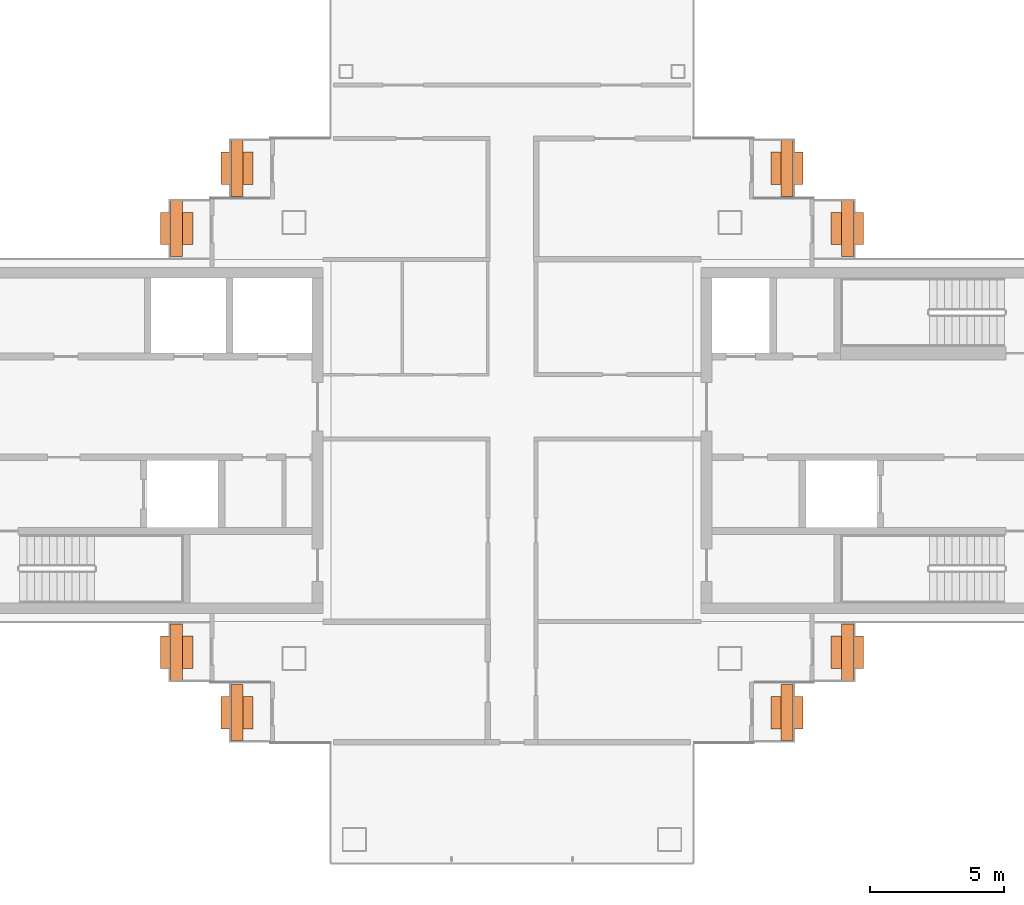
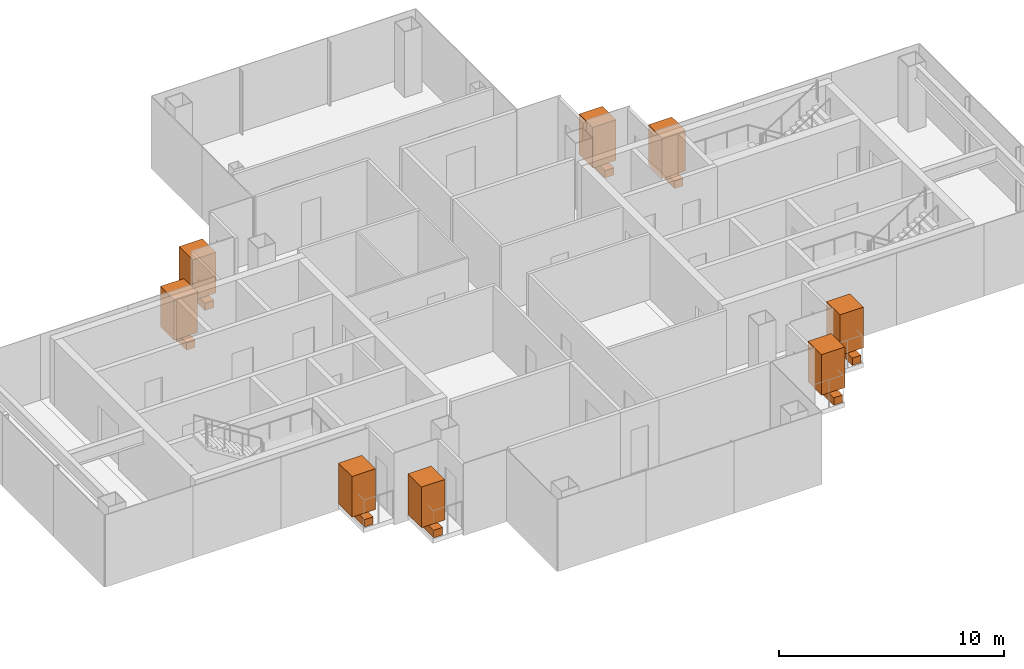
# One storey, part 17 of 17: 8 geographic elements, 8 proxies.
"""IFC4 building model written with IfcOpenShell, lengths in metres."""

from ifc_helpers import new_model, si_unit, direction, frame, origin, origin_2d, place, context, subcontext, project, spatial, rectangle, extrude, material, type_object, element, save


model = new_model("IFC4")

# Units and contexts
model_context = context("Model", 3, precision=1e-05, world=origin(), true_north=direction((0.0, 1.0)))
body_context = subcontext(model_context, "Body", "Model", "MODEL_VIEW")
ifc_project = project(units=[si_unit("LENGTHUNIT", "METRE"), si_unit("AREAUNIT", "SQUARE_METRE"), si_unit("VOLUMEUNIT", "CUBIC_METRE"), si_unit("PLANEANGLEUNIT", "RADIAN"), si_unit("MASSUNIT", "GRAM", prefix="KILO")], contexts=[model_context])

# Site, building, storey
site_placement = place(None, origin())
site = spatial("IfcSite", under=ifc_project, at=site_placement, CompositionType="ELEMENT")
building_placement = place(site_placement, origin())
building = spatial("IfcBuilding", under=site, at=building_placement, Name="Shamsa Quay Exchange Towers", CompositionType="ELEMENT")
storey_placement = place(building_placement, frame((0.0, 0.0, 234.300048828125)))
storey = spatial("IfcBuildingStorey", under=building, at=storey_placement, Name="L56", CompositionType="ELEMENT", Elevation=234.300048828125)

# Proxies
ifc_material_1 = material(Name="Reinforced concrete C30/37, black glass-fibre faced", Category="concrete")
building_element_proxy_type = type_object("IfcBuildingElementProxyType", Name="BALCONY PLANTER", PredefinedType="USERDEFINED", material=ifc_material_1)
for number, where, z_axis, x_axis, name in (
    (1, (23.5048828125, 10.14404296875, 0.0), (0.0, 0.0, 1.0), (0.0, -1.0, 0.0), "PLANTER T2-PKEN L56"),
    (2, (21.2548828125, 7.89404296875, 0.0), (0.0, 0.0, 1.0), (0.0, -1.0, 0.0), "PLANTER T2-PKEN L56"),
    (3, (43.9951171875, 10.14404296875, 0.0), (0.0, 0.0, 1.0), (0.0, 1.0, 0.0), "PLANTER T2-PKES L56"),
    (4, (46.2451171875, 7.89404296875, 0.0), (0.0, 0.0, 1.0), (0.0, 1.0, 0.0), "PLANTER T2-PKES L56"),
    (5, (21.2548828125, -7.89404296875, 0.0), (0.0, 0.0, 1.0), (0.0, -1.0, 0.0), "PLANTER T2-PKWN L56"),
    (6, (23.5048828125, -10.14404296875, 0.0), (0.0, 0.0, 1.0), (0.0, -1.0, 0.0), "PLANTER T2-PKWN L56"),
    (7, (43.9951171875, -10.14404296875, 0.0), (0.0, 0.0, 1.0), (0.0, 1.0, 0.0), "PLANTER T2-PKWS L56"),
    (8, (46.2451171875, -7.89404296875, 0.0), (0.0, 0.0, 1.0), (0.0, 1.0, 0.0), "PLANTER T2-PKWS L56"),
):
    element("IfcBuildingElementProxy", number, at=place(storey_placement, frame(where, z_axis=z_axis, x_axis=x_axis)), inside=storey, type_object=building_element_proxy_type, Name=name, ObjectType="PLANTER", PredefinedType="USERDEFINED", context=body_context, shape_type="SweptSolid", body=[
        extrude(rectangle(XDim=2.092041015625, YDim=0.449951171875, at=origin_2d()), origin(), (0.0, 0.0, 1.0), 0.39990234375),
    ])

# Geographic elements
ifc_material_2 = material(Name="Planting")
geographic_element_type = type_object("IfcGeographicElementType", Name="BALCONY TREE", PredefinedType="USERDEFINED", material=ifc_material_2)
for number, where, z_axis, x_axis, name in (
    (9, (23.5048828125, 10.14404296875, 0.39990234375), (0.0, 0.0, 1.0), (0.0, -1.0, 0.0), "TREE T2-PKEN L56"),
    (10, (21.2548828125, 7.89404296875, 0.39990234375), (0.0, 0.0, 1.0), (0.0, -1.0, 0.0), "TREE T2-PKEN L56"),
    (11, (43.9951171875, 10.14404296875, 0.39990234375), (0.0, 0.0, 1.0), (0.0, 1.0, 0.0), "TREE T2-PKES L56"),
    (12, (46.2451171875, 7.89404296875, 0.39990234375), (0.0, 0.0, 1.0), (0.0, 1.0, 0.0), "TREE T2-PKES L56"),
    (13, (21.2548828125, -7.89404296875, 0.39990234375), (0.0, 0.0, 1.0), (0.0, -1.0, 0.0), "TREE T2-PKWN L56"),
    (14, (23.5048828125, -10.14404296875, 0.39990234375), (0.0, 0.0, 1.0), (0.0, -1.0, 0.0), "TREE T2-PKWN L56"),
    (15, (43.9951171875, -10.14404296875, 0.39990234375), (0.0, 0.0, 1.0), (0.0, 1.0, 0.0), "TREE T2-PKWS L56"),
    (16, (46.2451171875, -7.89404296875, 0.39990234375), (0.0, 0.0, 1.0), (0.0, 1.0, 0.0), "TREE T2-PKWS L56"),
):
    element("IfcGeographicElement", number, at=place(storey_placement, frame(where, z_axis=z_axis, x_axis=x_axis)), inside=storey, type_object=geographic_element_type, Name=name, ObjectType="TREE", PredefinedType="USERDEFINED", context=body_context, shape_type="SweptSolid", body=[
        extrude(rectangle(XDim=1.199951171875, YDim=1.199951171875, at=origin_2d()), origin(), (0.0, 0.0, 1.0), 2.199951171875),
    ])

save(model, "model.ifc")
